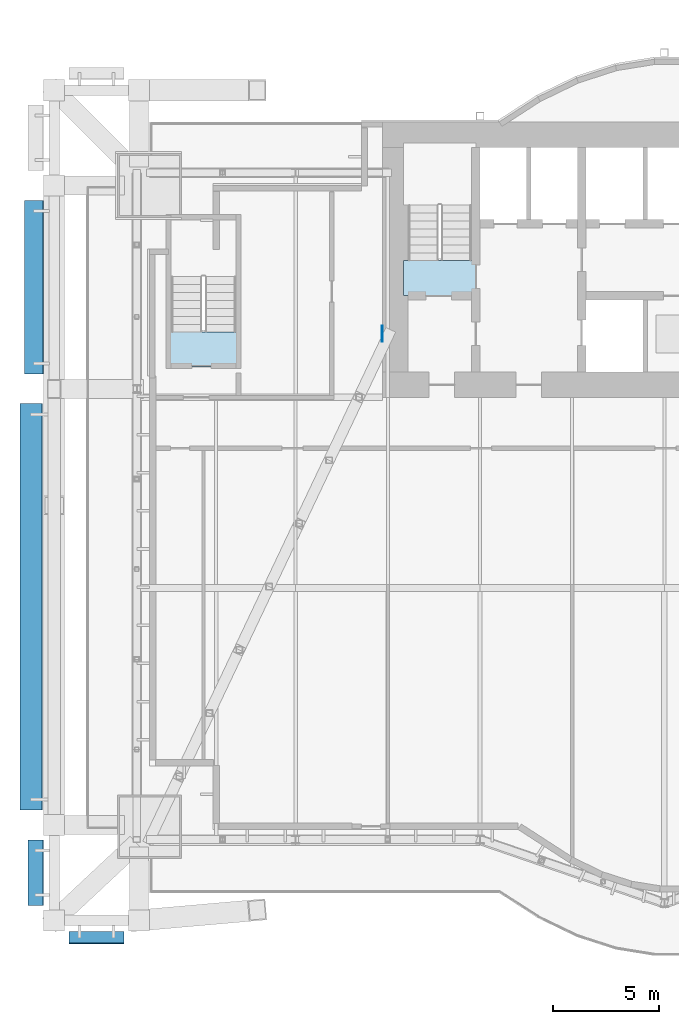
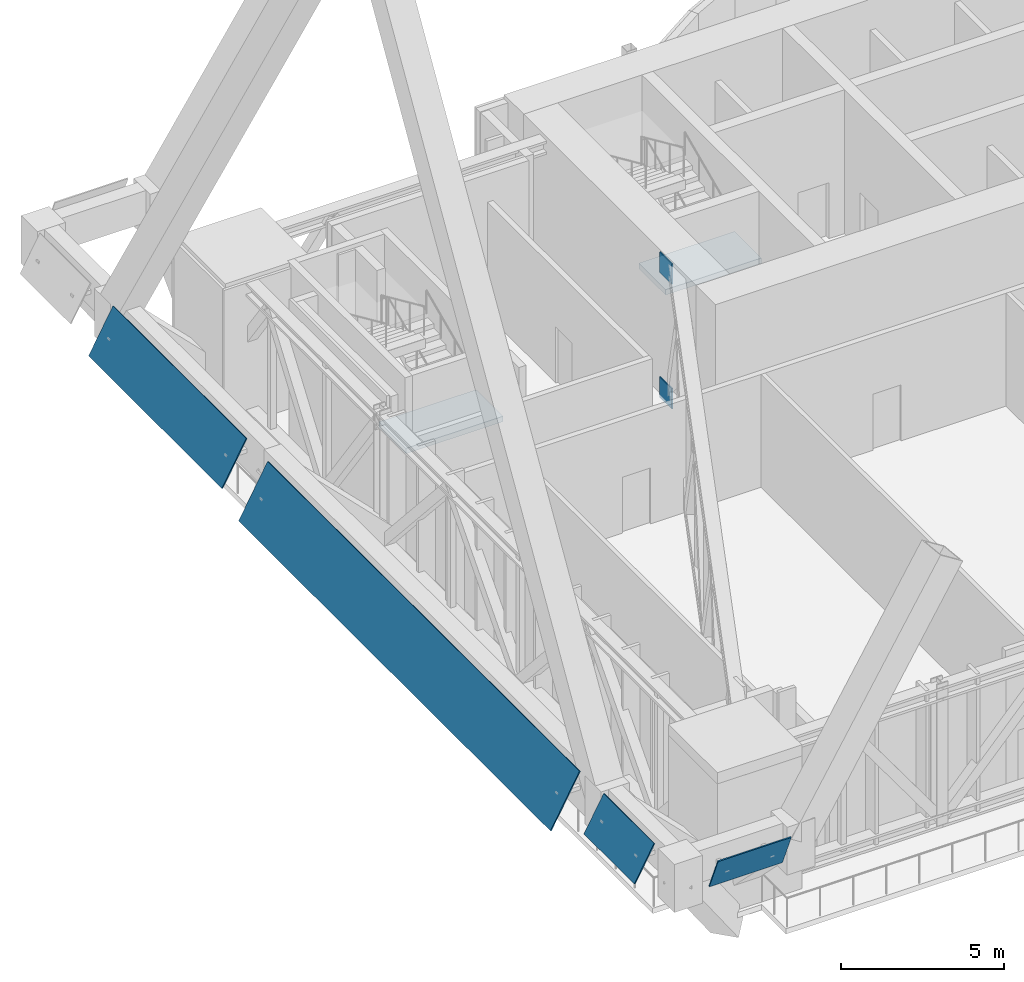
# One storey, part 20 of 32: 6 plates, 2 slabs, 2 elements without a shape of their own.
"""IFC4 building model written with IfcOpenShell, lengths in metres."""

from ifc_helpers import new_model, si_unit, direction, frame, origin, origin_2d, place, context, subcontext, project, spatial, polyline, rectangle, outline, extrude, material, layer, layer_set, type_object, element, aggregate, save


model = new_model("IFC4")

# Units and contexts
model_context = context("Model", 3, precision=1e-05, world=origin(), true_north=direction((0.0, 1.0)))
body_context = subcontext(model_context, "Body", "Model", "MODEL_VIEW")
ifc_project = project(units=[si_unit("LENGTHUNIT", "METRE"), si_unit("AREAUNIT", "SQUARE_METRE"), si_unit("VOLUMEUNIT", "CUBIC_METRE"), si_unit("PLANEANGLEUNIT", "RADIAN"), si_unit("MASSUNIT", "GRAM", prefix="KILO")], contexts=[model_context])

# Site, building, storey
site_placement = place(None, origin())
site = spatial("IfcSite", under=ifc_project, at=site_placement, CompositionType="ELEMENT")
building_placement = place(site_placement, origin())
building = spatial("IfcBuilding", under=site, at=building_placement, Name="Bicima Exchange Tower", CompositionType="ELEMENT")
storey_placement = place(building_placement, frame((0.0, 0.0, 135.0)))
storey = spatial("IfcBuildingStorey", under=building, at=storey_placement, Name="L29", CompositionType="ELEMENT", Elevation=135.0)

# Plates
ifc_material_1 = material(Name="Dark tinted spandrel glass", Category="glass")
ifc_layer_1 = layer(ifc_material_1, 0.0400390625)
ifc_layer_set_1 = layer_set([ifc_layer_1], Name="Dark tinted spandrel glass")
plate_type_1 = type_object("IfcPlateType", Name="Belt fascia glass panel 40", PredefinedType="SHEET", material=ifc_layer_set_1)
plate_1_placement = place(storey_placement, frame((-36.800048828125, -38.214599609375, 4.050048828125), z_axis=(0.0, 0.919715682457, 0.39258510344), x_axis=(1.0, 0.0, 0.0)))
element("IfcPlate", 1, at=plate_1_placement, inside=storey, type_object=plate_type_1, Name="Belt fascia glass panel", PredefinedType="SHEET", context=body_context, shape_type="SweptSolid", body=[
    extrude(outline(polyline([(0.0, 0.0), (2.60009765625, 0.0), (2.60009765625, -1.3917663048388182), (0.0, -1.3917663048388182), (0.0, 0.0)])), origin(), (0.0, 0.0, -1.0), 0.0400390625),
])
plate_2_placement = place(storey_placement, frame((-38.897216796875, -3.699951171875, 3.75), z_axis=(-0.876650248979, 0.0, 0.481128195978), x_axis=(0.0, -1.0, 0.0)))
element("IfcPlate", 2, at=plate_2_placement, inside=storey, type_object=plate_type_1, Name="Belt fascia glass panel", PredefinedType="SHEET", context=body_context, shape_type="SweptSolid", body=[
    extrude(outline(polyline([(0.0, 0.0), (8.199951171875, 0.0), (8.199951171875, 1.8024042391372048), (0.0, 1.8024042391372048), (0.0, 0.0)])), origin(), (0.0, 0.0, -1.0), 0.0400390625),
])
plate_3_placement = place(storey_placement, frame((-39.11181640625, -13.300048828125, 3.449951171875), z_axis=(-0.876674581874, 0.0, 0.481083857031), x_axis=(0.0, -1.0, 0.0)))
element("IfcPlate", 3, at=plate_3_placement, inside=storey, type_object=plate_type_1, Name="Belt fascia glass panel", PredefinedType="SHEET", context=body_context, shape_type="SweptSolid", body=[
    extrude(outline(polyline([(0.0, 0.0), (19.1845703125, 0.0), (19.1845703125, 2.1446121422914213), (0.0, 2.1446121422914213), (0.0, 0.0)])), origin(), (0.0, 0.0, -1.0), 0.0400390625),
])
plate_4_placement = place(storey_placement, frame((-38.732421875, -33.884765625, 4.050048828125), z_axis=(-0.876685030348, 0.0, 0.481064816386), x_axis=(0.0, -1.0, 0.0)))
element("IfcPlate", 4, at=plate_4_placement, inside=storey, type_object=plate_type_1, Name="Belt fascia glass panel", PredefinedType="SHEET", context=body_context, shape_type="SweptSolid", body=[
    extrude(outline(polyline([(0.0, 0.0), (3.099853515625, 0.0), (3.099853515625, 1.460078879603219), (0.0, 1.460078879603219), (0.0, 0.0)])), origin(), (0.0, 0.0, -1.0), 0.0400390625),
])
ifc_material_2 = material(Name="Steel ASTM A572 Gr 50", Category="steel")
ifc_layer_2 = layer(ifc_material_2, 0.0400390625)
ifc_layer_set_2 = layer_set([ifc_layer_2], Name="Steel ASTM A572 Gr 50")
plate_type_2 = type_object("IfcPlateType", Name="Cast-in plate 40", PredefinedType="SHEET", material=ifc_layer_set_2)
for number, where, z_axis, x_axis, name in (
    (5, (-22.02001953125, -10.0, 4.5810546875), (0.0, 0.0, 1.0), (1.0, 0.0, 0.0), "Cast-in plate at core wall"),
    (6, (-22.02001953125, -10.0, -0.10009765625), (0.0, 0.0, 1.0), (1.0, 0.0, 0.0), "Cast-in plate at core wall"),
):
    element("IfcPlate", number, at=place(storey_placement, frame(where, z_axis=z_axis, x_axis=x_axis)), inside=storey, type_object=plate_type_2, Name=name, PredefinedType="SHEET", context=body_context, shape_type="SweptSolid", body=[
        extrude(rectangle(XDim=0.0400390625, YDim=0.754638671875, at=origin_2d()), origin(), (0.0, 0.0, 1.0), 0.76904296875),
    ])

# Stair, slab
ifc_material_3 = material(Name="Concrete C50/60", Category="concrete")
stair_type = type_object("IfcStairType", Name="Exit stair", PredefinedType="HALF_TURN_STAIR", material=ifc_material_3)
stair_1_placement = place(storey_placement, origin())
stair_1 = element("IfcStair", 7, at=stair_1_placement, inside=storey, type_object=stair_type, Name="L29 West exit stair", PredefinedType="HALF_TURN_STAIR")
ifc_layer_3 = layer(ifc_material_3, 0.199951171875)
ifc_layer_set_3 = layer_set([ifc_layer_3], Name="Concrete C50/60")
slab_type = type_object("IfcSlabType", Name="Stair landing slab", PredefinedType="LANDING", material=ifc_layer_set_3)
slab_1_placement = place(storey_placement, frame((0.0, 0.0, 2.5)))
slab_1 = element("IfcSlab", 8, at=slab_1_placement, type_object=slab_type, Name="ST-W landing 2", PredefinedType="LANDING", context=body_context, shape_type="SweptSolid", body=[
    extrude(outline(polyline([(-17.60009765625, -8.199951171875), (-17.60009765625, -6.550048828125), (-21.0, -6.550048828125), (-21.0, -8.199951171875), (-17.60009765625, -8.199951171875)])), origin(), (0.0, 0.0, 1.0), 0.199951171875),
])
aggregate(stair_1, [slab_1])

stair_2_placement = place(storey_placement, origin())
stair_2 = element("IfcStair", 9, at=stair_2_placement, inside=storey, type_object=stair_type, Name="L29 West end exit stair", PredefinedType="HALF_TURN_STAIR")
slab_2_placement = place(storey_placement, frame((0.0, 0.0, 2.5)))
slab_2 = element("IfcSlab", 10, at=slab_2_placement, type_object=slab_type, Name="ST-WW landing 2", PredefinedType="LANDING", context=body_context, shape_type="SweptSolid", body=[
    extrude(outline(polyline([(-28.72509765625, -11.574951171875), (-28.72509765625, -9.925048828125), (-32.175048828125, -9.925048828125), (-32.175048828125, -11.574951171875), (-28.72509765625, -11.574951171875)])), origin(), (0.0, 0.0, 1.0), 0.199951171875),
])
aggregate(stair_2, [slab_2])

save(model, "model.ifc")
